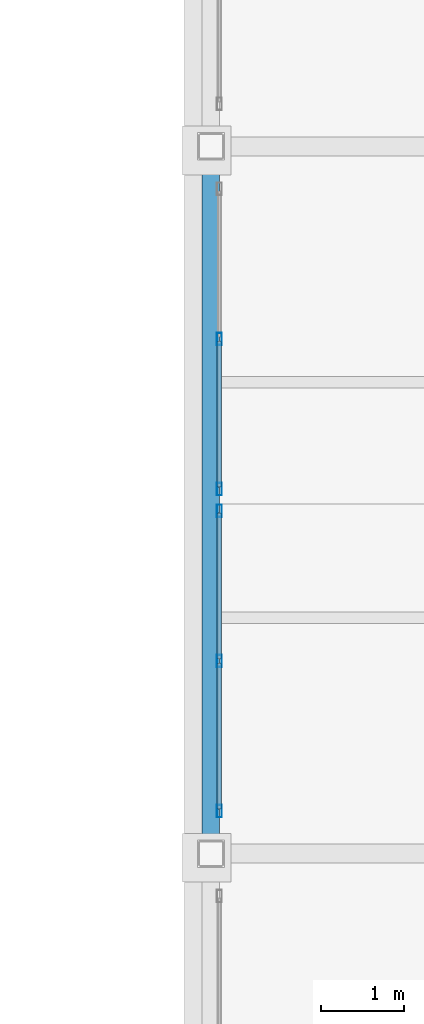
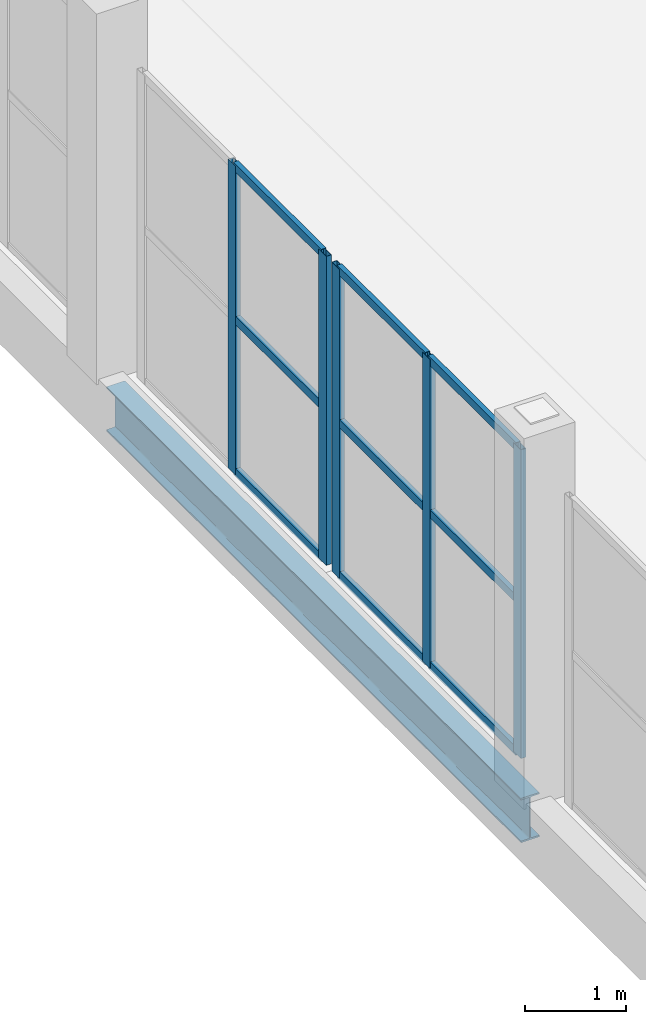
# One storey, part 75 of 156: 14 members, 1 beam, 2 elements without a shape of their own.
"""IFC4 building model written with IfcOpenShell, lengths in metres."""

from ifc_helpers import new_model, si_unit, direction, frame, origin, origin_2d, place, context, subcontext, project, spatial, hollow_rectangle, i_section, extrude, material, material_profile, profile_set, type_object, element, aggregate, save


model = new_model("IFC4")

# Units and contexts
model_context = context("Model", 3, precision=1e-05, world=origin(), true_north=direction((0.0, 1.0)))
body_context = subcontext(model_context, "Body", "Model", "MODEL_VIEW")
ifc_project = project(units=[si_unit("LENGTHUNIT", "METRE"), si_unit("AREAUNIT", "SQUARE_METRE"), si_unit("VOLUMEUNIT", "CUBIC_METRE"), si_unit("PLANEANGLEUNIT", "RADIAN"), si_unit("MASSUNIT", "GRAM", prefix="KILO")], contexts=[model_context])

# Site, building, storey
site_placement = place(None, origin())
site = spatial("IfcSite", under=ifc_project, at=site_placement, CompositionType="ELEMENT")
building_placement = place(site_placement, origin())
building = spatial("IfcBuilding", under=site, at=building_placement, Name="Caurita Quay Ferry Terminal", CompositionType="ELEMENT")
storey_placement = place(building_placement, frame((0.0, 0.0, 5.39990234375)))
storey = spatial("IfcBuildingStorey", under=building, at=storey_placement, Name="L01", CompositionType="ELEMENT", Elevation=5.39990234375)

# Beam
ifc_material_1 = material(Name="Structural steel ASTM A992 Gr. 50", Category="steel")
ifc_material_profile_1 = material_profile(ifc_material_1, i_section(OverallWidth=0.210693359375, OverallDepth=0.53857421875, WebThickness=0.01171875, FlangeThickness=0.018798828125, FilletRadius=0.013916015625, at=origin_2d()), Name="W21X73")
ifc_profile_set_1 = profile_set([ifc_material_profile_1], Name="Structural steel ASTM A992 Gr. 50")
beam_type = type_object("IfcBeamType", Name="BM-GR-W21A", PredefinedType="BEAM", material=ifc_profile_set_1)
beam_placement = place(storey_placement, frame((163.60009765625, 17.12939453125, -0.504150390625), z_axis=(0.0, 1.0, 0.0), x_axis=(-1.0, 0.0, 0.0)))
element("IfcBeam", 1, at=beam_placement, inside=storey, type_object=beam_type, Name="L01 Beam BM-V3P-L01-Y-1636-171", PredefinedType="BEAM", context=body_context, shape_type="SweptSolid", body=[
    extrude(i_section(OverallWidth=0.210693359375, OverallDepth=0.53857421875, WebThickness=0.01171875, FlangeThickness=0.018798828125, FilletRadius=0.013916015625, at=origin_2d()), origin(), (0.0, 0.0, 1.0), 8.2412109375),
])

# Curtain wall, members
ifc_material_2 = material(Name="Laminated solar-control insulated glass", Category="glass")
curtain_wall_type = type_object("IfcCurtainWallType", Name="CW-SYS-15", PredefinedType="NOTDEFINED", material=ifc_material_2)
curtain_wall_1_placement = place(storey_placement, origin())
curtain_wall_1 = element("IfcCurtainWall", 2, at=curtain_wall_1_placement, inside=storey, type_object=curtain_wall_type, Name="Boarding Gangway Ribbon Curtain Wall 126", PredefinedType="NOTDEFINED")
ifc_material_3 = material(Name="Anodized aluminium 6063-T6", Category="aluminium")
ifc_material_profile_2 = material_profile(ifc_material_3, hollow_rectangle(XDim=0.06005859375, YDim=0.14990234375, WallThickness=0.00341796875, at=origin_2d()), Name="ALU-MUL-60X150")
ifc_profile_set_2 = profile_set([ifc_material_profile_2], Name="Anodized aluminium 6063-T6")
member_type_1 = type_object("IfcMemberType", Name="CW-MUL-150", PredefinedType="MULLION", material=ifc_profile_set_2)
member_1_placement = place(storey_placement, frame((163.699951171875, 17.510009765625, 0.0), z_axis=(0.0, 0.0, 1.0), x_axis=(-1.0, 0.0, 0.0)))
member_1 = element("IfcMember", 3, at=member_1_placement, type_object=member_type_1, Name="CW-BGW-126 Mullion 1", PredefinedType="MULLION", context=body_context, shape_type="SweptSolid", body=[
    extrude(hollow_rectangle(XDim=0.06005859375, YDim=0.14990234375, WallThickness=0.00341796875, at=origin_2d()), origin(), (0.0, 0.0, 1.0), 3.75),
])
member_2_placement = place(storey_placement, frame((163.699951171875, 19.31494140625, 0.0), z_axis=(0.0, 0.0, 1.0), x_axis=(-1.0, 0.0, 0.0)))
member_2 = element("IfcMember", 4, at=member_2_placement, type_object=member_type_1, Name="CW-BGW-126 Mullion 2", PredefinedType="MULLION", context=body_context, shape_type="SweptSolid", body=[
    extrude(hollow_rectangle(XDim=0.06005859375, YDim=0.14990234375, WallThickness=0.00341796875, at=origin_2d()), origin(), (0.0, 0.0, 1.0), 3.75),
])
member_3_placement = place(storey_placement, frame((163.699951171875, 21.1201171875, 0.0), z_axis=(0.0, 0.0, 1.0), x_axis=(-1.0, 0.0, 0.0)))
member_3 = element("IfcMember", 5, at=member_3_placement, type_object=member_type_1, Name="CW-BGW-126 Mullion 3", PredefinedType="MULLION", context=body_context, shape_type="SweptSolid", body=[
    extrude(hollow_rectangle(XDim=0.06005859375, YDim=0.14990234375, WallThickness=0.00341796875, at=origin_2d()), origin(), (0.0, 0.0, 1.0), 3.75),
])

curtain_wall_2_placement = place(storey_placement, origin())
curtain_wall_2 = element("IfcCurtainWall", 6, at=curtain_wall_2_placement, inside=storey, type_object=curtain_wall_type, Name="Boarding Gangway Ribbon Curtain Wall 127", PredefinedType="NOTDEFINED")
member_4_placement = place(storey_placement, frame((163.699951171875, 21.3798828125, 0.0), z_axis=(0.0, 0.0, 1.0), x_axis=(-1.0, 0.0, 0.0)))
member_4 = element("IfcMember", 7, at=member_4_placement, type_object=member_type_1, Name="CW-BGW-127 Mullion 1", PredefinedType="MULLION", context=body_context, shape_type="SweptSolid", body=[
    extrude(hollow_rectangle(XDim=0.06005859375, YDim=0.14990234375, WallThickness=0.00341796875, at=origin_2d()), origin(), (0.0, 0.0, 1.0), 3.75),
])
member_5_placement = place(storey_placement, frame((163.699951171875, 23.18505859375, 0.0), z_axis=(0.0, 0.0, 1.0), x_axis=(-1.0, 0.0, 0.0)))
member_5 = element("IfcMember", 8, at=member_5_placement, type_object=member_type_1, Name="CW-BGW-127 Mullion 2", PredefinedType="MULLION", context=body_context, shape_type="SweptSolid", body=[
    extrude(hollow_rectangle(XDim=0.06005859375, YDim=0.14990234375, WallThickness=0.00341796875, at=origin_2d()), origin(), (0.0, 0.0, 1.0), 3.75),
])

# Member
ifc_material_profile_3 = material_profile(ifc_material_3, hollow_rectangle(XDim=0.054931640625, YDim=0.10009765625, WallThickness=0.00341796875, at=origin_2d()), Name="ALU-TRN-55X100")
ifc_profile_set_3 = profile_set([ifc_material_profile_3], Name="Anodized aluminium 6063-T6")
member_type_2 = type_object("IfcMemberType", Name="CW-TRN-100", PredefinedType="USERDEFINED", material=ifc_profile_set_3)
member_6_placement = place(storey_placement, frame((163.699951171875, 17.5380859375, 0.027587890625), z_axis=(0.0, 1.0, 0.0), x_axis=(-1.0, 0.0, 0.0)))
member_6 = element("IfcMember", 9, at=member_6_placement, type_object=member_type_2, Name="CW-BGW-126 Transom 1", ObjectType="TRANSOM", PredefinedType="USERDEFINED", context=body_context, shape_type="SweptSolid", body=[
    extrude(hollow_rectangle(XDim=0.054931640625, YDim=0.10009765625, WallThickness=0.00341796875, at=origin_2d()), origin(), (0.0, 0.0, 1.0), 1.7490234375),
])

member_7_placement = place(storey_placement, frame((163.699951171875, 17.5380859375, 1.875), z_axis=(0.0, 1.0, 0.0), x_axis=(-1.0, 0.0, 0.0)))
member_7 = element("IfcMember", 10, at=member_7_placement, type_object=member_type_2, Name="CW-BGW-126 Transom 2", ObjectType="TRANSOM", PredefinedType="USERDEFINED", context=body_context, shape_type="SweptSolid", body=[
    extrude(hollow_rectangle(XDim=0.054931640625, YDim=0.10009765625, WallThickness=0.00341796875, at=origin_2d()), origin(), (0.0, 0.0, 1.0), 1.7490234375),
])

member_8_placement = place(storey_placement, frame((163.699951171875, 17.5380859375, 3.72265625), z_axis=(0.0, 1.0, 0.0), x_axis=(-1.0, 0.0, 0.0)))
member_8 = element("IfcMember", 11, at=member_8_placement, type_object=member_type_2, Name="CW-BGW-126 Transom 3", ObjectType="TRANSOM", PredefinedType="USERDEFINED", context=body_context, shape_type="SweptSolid", body=[
    extrude(hollow_rectangle(XDim=0.054931640625, YDim=0.10009765625, WallThickness=0.00341796875, at=origin_2d()), origin(), (0.0, 0.0, 1.0), 1.7490234375),
])

member_9_placement = place(storey_placement, frame((163.699951171875, 19.343017578125, 0.027587890625), z_axis=(0.0, 1.0, 0.0), x_axis=(-1.0, 0.0, 0.0)))
member_9 = element("IfcMember", 12, at=member_9_placement, type_object=member_type_2, Name="CW-BGW-126 Transom 4", ObjectType="TRANSOM", PredefinedType="USERDEFINED", context=body_context, shape_type="SweptSolid", body=[
    extrude(hollow_rectangle(XDim=0.054931640625, YDim=0.10009765625, WallThickness=0.00341796875, at=origin_2d()), origin(), (0.0, 0.0, 1.0), 1.7490234375),
])

member_10_placement = place(storey_placement, frame((163.699951171875, 19.343017578125, 1.875), z_axis=(0.0, 1.0, 0.0), x_axis=(-1.0, 0.0, 0.0)))
member_10 = element("IfcMember", 13, at=member_10_placement, type_object=member_type_2, Name="CW-BGW-126 Transom 5", ObjectType="TRANSOM", PredefinedType="USERDEFINED", context=body_context, shape_type="SweptSolid", body=[
    extrude(hollow_rectangle(XDim=0.054931640625, YDim=0.10009765625, WallThickness=0.00341796875, at=origin_2d()), origin(), (0.0, 0.0, 1.0), 1.7490234375),
])

member_11_placement = place(storey_placement, frame((163.699951171875, 19.343017578125, 3.72265625), z_axis=(0.0, 1.0, 0.0), x_axis=(-1.0, 0.0, 0.0)))
member_11 = element("IfcMember", 14, at=member_11_placement, type_object=member_type_2, Name="CW-BGW-126 Transom 6", ObjectType="TRANSOM", PredefinedType="USERDEFINED", context=body_context, shape_type="SweptSolid", body=[
    extrude(hollow_rectangle(XDim=0.054931640625, YDim=0.10009765625, WallThickness=0.00341796875, at=origin_2d()), origin(), (0.0, 0.0, 1.0), 1.7490234375),
])

aggregate(curtain_wall_1, [member_1, member_2, member_3, member_6, member_7, member_8, member_9, member_10, member_11])

member_12_placement = place(storey_placement, frame((163.699951171875, 21.407958984375, 0.027587890625), z_axis=(0.0, 1.0, 0.0), x_axis=(-1.0, 0.0, 0.0)))
member_12 = element("IfcMember", 15, at=member_12_placement, type_object=member_type_2, Name="CW-BGW-127 Transom 1", ObjectType="TRANSOM", PredefinedType="USERDEFINED", context=body_context, shape_type="SweptSolid", body=[
    extrude(hollow_rectangle(XDim=0.054931640625, YDim=0.10009765625, WallThickness=0.00341796875, at=origin_2d()), origin(), (0.0, 0.0, 1.0), 1.7490234375),
])

member_13_placement = place(storey_placement, frame((163.699951171875, 21.407958984375, 1.875), z_axis=(0.0, 1.0, 0.0), x_axis=(-1.0, 0.0, 0.0)))
member_13 = element("IfcMember", 16, at=member_13_placement, type_object=member_type_2, Name="CW-BGW-127 Transom 2", ObjectType="TRANSOM", PredefinedType="USERDEFINED", context=body_context, shape_type="SweptSolid", body=[
    extrude(hollow_rectangle(XDim=0.054931640625, YDim=0.10009765625, WallThickness=0.00341796875, at=origin_2d()), origin(), (0.0, 0.0, 1.0), 1.7490234375),
])

member_14_placement = place(storey_placement, frame((163.699951171875, 21.407958984375, 3.72265625), z_axis=(0.0, 1.0, 0.0), x_axis=(-1.0, 0.0, 0.0)))
member_14 = element("IfcMember", 17, at=member_14_placement, type_object=member_type_2, Name="CW-BGW-127 Transom 3", ObjectType="TRANSOM", PredefinedType="USERDEFINED", context=body_context, shape_type="SweptSolid", body=[
    extrude(hollow_rectangle(XDim=0.054931640625, YDim=0.10009765625, WallThickness=0.00341796875, at=origin_2d()), origin(), (0.0, 0.0, 1.0), 1.7490234375),
])

aggregate(curtain_wall_2, [member_4, member_5, member_12, member_13, member_14])

save(model, "model.ifc")
